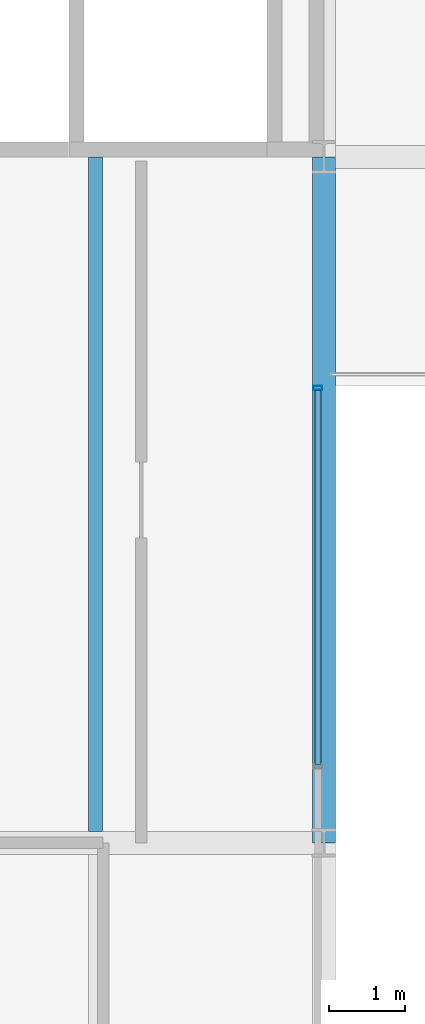
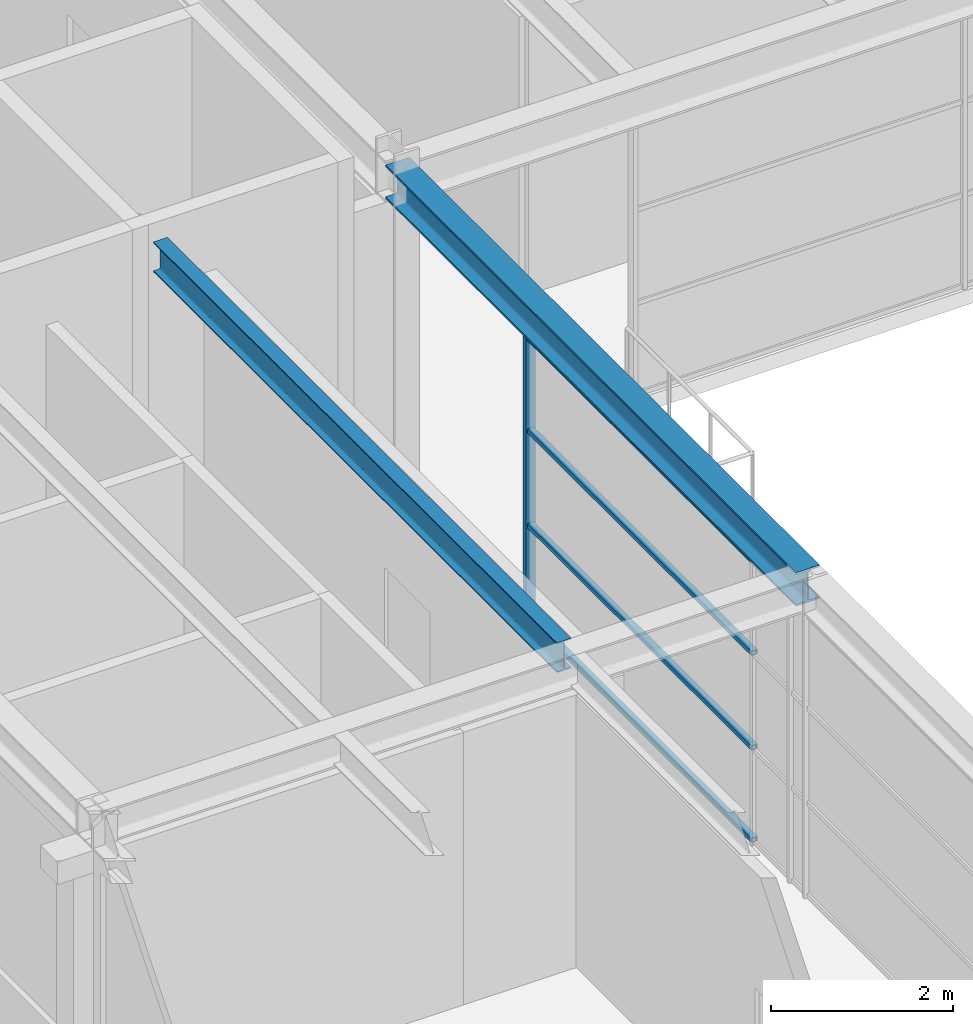
# One storey, part 23 of 111: 5 members, 2 beams, 1 element without a shape of its own.
"""IFC4 building model written with IfcOpenShell, lengths in metres."""

from ifc_helpers import new_model, si_unit, direction, frame, origin, origin_2d, place, context, subcontext, project, spatial, hollow_rectangle, i_section, extrude, material, material_profile, profile_set, type_object, element, aggregate, save


model = new_model("IFC4")

# Units and contexts
model_context = context("Model", 3, precision=1e-05, world=origin(), true_north=direction((0.0, 1.0)))
body_context = subcontext(model_context, "Body", "Model", "MODEL_VIEW")
ifc_project = project(units=[si_unit("LENGTHUNIT", "METRE"), si_unit("AREAUNIT", "SQUARE_METRE"), si_unit("VOLUMEUNIT", "CUBIC_METRE"), si_unit("PLANEANGLEUNIT", "RADIAN"), si_unit("MASSUNIT", "GRAM", prefix="KILO")], contexts=[model_context])

# Site, building, storey
site_placement = place(None, origin())
site = spatial("IfcSite", under=ifc_project, at=site_placement, CompositionType="ELEMENT")
building_placement = place(site_placement, origin())
building = spatial("IfcBuilding", under=site, at=building_placement, Name="Kallimachos Central Library", CompositionType="ELEMENT")
storey_placement = place(building_placement, frame((0.0, 0.0, 14.39990234375)))
storey = spatial("IfcBuildingStorey", under=building, at=storey_placement, Name="L03", CompositionType="ELEMENT", Elevation=14.39990234375)

# Curtain wall, members
ifc_material_1 = material(Name="Aluminium and laminated glass", Category="aluminium")
curtain_wall_type = type_object("IfcCurtainWallType", Name="Atrium glazed screen", PredefinedType="NOTDEFINED", material=ifc_material_1)
curtain_wall_placement = place(storey_placement, origin())
curtain_wall = element("IfcCurtainWall", 1, at=curtain_wall_placement, inside=storey, type_object=curtain_wall_type, Name="L03 atrium screen W", PredefinedType="NOTDEFINED")
ifc_material_2 = material(Name="Anodised aluminium", Category="aluminium")
ifc_material_profile_1 = material_profile(ifc_material_2, hollow_rectangle(XDim=0.06005859375, YDim=0.1201171875, WallThickness=0.00390625, at=origin_2d()), Name="ALU MULLION 60x120")
ifc_profile_set_1 = profile_set([ifc_material_profile_1], Name="Anodised aluminium")
member_type_1 = type_object("IfcMemberType", Name="Atrium screen mullion", PredefinedType="MULLION", material=ifc_profile_set_1)
member_1_placement = place(storey_placement, frame((74.419921875, 71.969970703125, 0.0), z_axis=(0.0, 0.0, 1.0), x_axis=(0.0, 1.0, 0.0)))
member_1 = element("IfcMember", 2, at=member_1_placement, type_object=member_type_1, Name="CW mullion 4", PredefinedType="MULLION", context=body_context, shape_type="SweptSolid", body=[
    extrude(hollow_rectangle(XDim=0.06005859375, YDim=0.1201171875, WallThickness=0.00390625, at=origin_2d()), origin(), (0.0, 0.0, 1.0), 3.800048828125),
])
ifc_material_3 = material(Name="Anodised aluminium", Category="aluminium")
ifc_material_profile_2 = material_profile(ifc_material_3, hollow_rectangle(XDim=0.06005859375, YDim=0.080078125, WallThickness=0.00390625, at=origin_2d()), Name="ALU TRANSOM 60x80")
ifc_profile_set_2 = profile_set([ifc_material_profile_2], Name="Anodised aluminium")
member_type_2 = type_object("IfcMemberType", Name="Atrium screen transom", PredefinedType="USERDEFINED", material=ifc_profile_set_2)
member_2_placement = place(storey_placement, frame((74.419921875, 67.030029296875, 0.030029296875), z_axis=(0.0, 1.0, 0.0), x_axis=(0.0, 0.0, 1.0)))
member_2 = element("IfcMember", 3, at=member_2_placement, type_object=member_type_2, Name="CW transom 3.1", ObjectType="TRANSOM", PredefinedType="USERDEFINED", context=body_context, shape_type="SweptSolid", body=[
    extrude(hollow_rectangle(XDim=0.06005859375, YDim=0.080078125, WallThickness=0.00390625, at=origin_2d()), origin(), (0.0, 0.0, 1.0), 4.909912109375),
])
member_3_placement = place(storey_placement, frame((74.419921875, 67.030029296875, 1.266845703125), z_axis=(0.0, 1.0, 0.0), x_axis=(0.0, 0.0, 1.0)))
member_3 = element("IfcMember", 4, at=member_3_placement, type_object=member_type_2, Name="CW transom 3.2", ObjectType="TRANSOM", PredefinedType="USERDEFINED", context=body_context, shape_type="SweptSolid", body=[
    extrude(hollow_rectangle(XDim=0.06005859375, YDim=0.080078125, WallThickness=0.00390625, at=origin_2d()), origin(), (0.0, 0.0, 1.0), 4.909912109375),
])
member_4_placement = place(storey_placement, frame((74.419921875, 67.030029296875, 2.533447265625), z_axis=(0.0, 1.0, 0.0), x_axis=(0.0, 0.0, 1.0)))
member_4 = element("IfcMember", 5, at=member_4_placement, type_object=member_type_2, Name="CW transom 3.3", ObjectType="TRANSOM", PredefinedType="USERDEFINED", context=body_context, shape_type="SweptSolid", body=[
    extrude(hollow_rectangle(XDim=0.06005859375, YDim=0.080078125, WallThickness=0.00390625, at=origin_2d()), origin(), (0.0, 0.0, 1.0), 4.909912109375),
])
member_5_placement = place(storey_placement, frame((74.419921875, 67.030029296875, 3.77001953125), z_axis=(0.0, 1.0, 0.0), x_axis=(0.0, 0.0, 1.0)))
member_5 = element("IfcMember", 6, at=member_5_placement, type_object=member_type_2, Name="CW transom 3.4", ObjectType="TRANSOM", PredefinedType="USERDEFINED", context=body_context, shape_type="SweptSolid", body=[
    extrude(hollow_rectangle(XDim=0.06005859375, YDim=0.080078125, WallThickness=0.00390625, at=origin_2d()), origin(), (0.0, 0.0, 1.0), 4.909912109375),
])
aggregate(curtain_wall, [member_1, member_2, member_3, member_4, member_5])

# Beams
ifc_material_4 = material(Name="Steel S355J2", Category="steel")
ifc_material_profile_3 = material_profile(ifc_material_4, i_section(OverallWidth=0.300048828125, OverallDepth=0.449951171875, WebThickness=0.013916015625, FlangeThickness=0.02587890625, FilletRadius=0.027099609375, at=origin_2d()), Name="HEB 450")
ifc_profile_set_3 = profile_set([ifc_material_profile_3], Name="Steel S355J2")
beam_type_1 = type_object("IfcBeamType", Name="HEB 450 beam", PredefinedType="BEAM", material=ifc_profile_set_3)
beam_1_placement = place(storey_placement, frame((74.5, 66.0, 4.025146484375), z_axis=(0.0, 1.0, 0.0), x_axis=(-1.0, 0.0, 0.0)))
element("IfcBeam", 7, at=beam_1_placement, inside=storey, type_object=beam_type_1, Name="V4-BEM-L03-026", PredefinedType="BEAM", context=body_context, shape_type="SweptSolid", body=[
    extrude(i_section(OverallWidth=0.300048828125, OverallDepth=0.449951171875, WebThickness=0.013916015625, FlangeThickness=0.02587890625, FilletRadius=0.027099609375, at=origin_2d()), origin(), (0.0, 0.0, 1.0), 9.0),
])
ifc_material_5 = material(Name="Steel S355J2", Category="steel")
ifc_material_profile_4 = material_profile(ifc_material_5, i_section(OverallWidth=0.179931640625, OverallDepth=0.39990234375, WebThickness=0.008544921875, FlangeThickness=0.013427734375, FilletRadius=0.02099609375, at=origin_2d()), Name="IPE 400")
ifc_profile_set_4 = profile_set([ifc_material_profile_4], Name="Steel S355J2")
beam_type_2 = type_object("IfcBeamType", Name="IPE 400 beam", PredefinedType="BEAM", material=ifc_profile_set_4)
beam_2_placement = place(storey_placement, frame((71.5, 66.14990234375, 4.050048828125), z_axis=(0.0, 1.0, 0.0), x_axis=(-1.0, 0.0, 0.0)))
element("IfcBeam", 8, at=beam_2_placement, inside=storey, type_object=beam_type_2, Name="V4-BEM-L03-030", PredefinedType="BEAM", context=body_context, shape_type="SweptSolid", body=[
    extrude(i_section(OverallWidth=0.179931640625, OverallDepth=0.39990234375, WebThickness=0.008544921875, FlangeThickness=0.013427734375, FilletRadius=0.02099609375, at=origin_2d()), origin(), (0.0, 0.0, 1.0), 8.85009765625),
])

save(model, "model.ifc")
